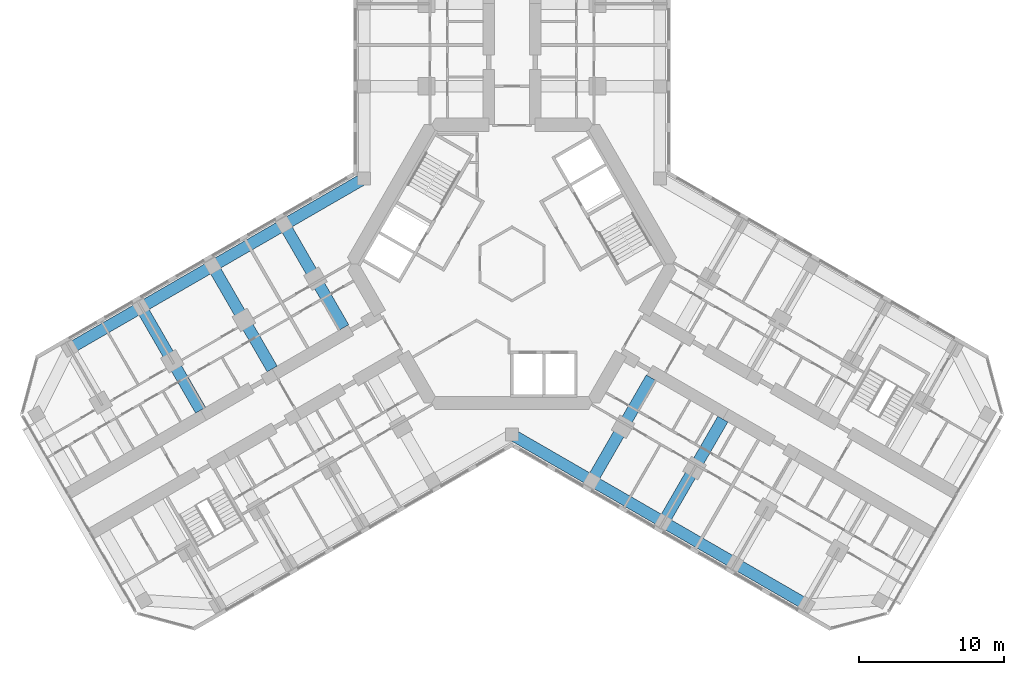
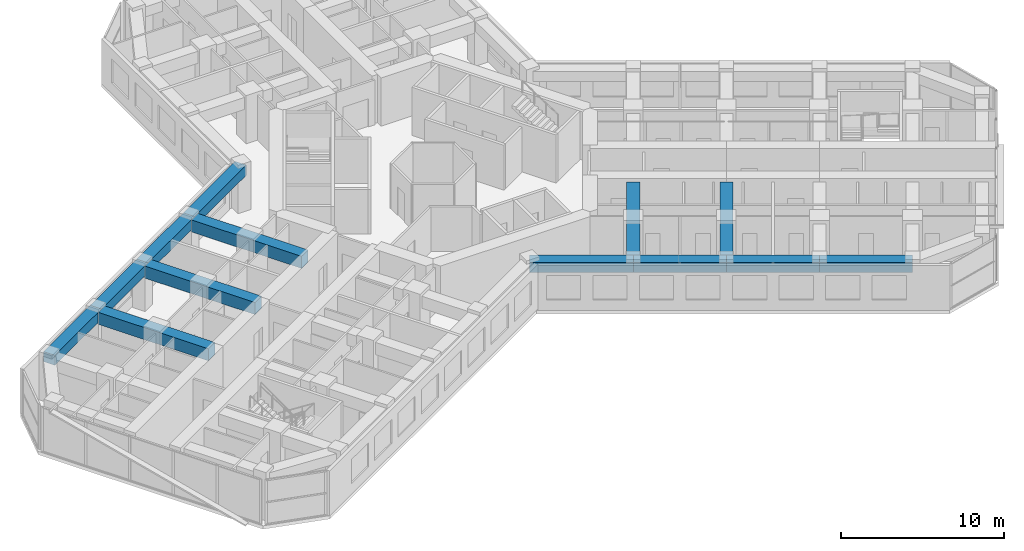
# One storey, part 4 of 19: 13 beams.
"""IFC4 building model written with IfcOpenShell, lengths in metres."""

import ifcopenshell
import ifcopenshell.guid

model = None  # the IFC model being written
_history = None  # IfcOwnerHistory: only IFC2X3 demands one
_inside = {}  # id of a spatial element -> (the spatial element, [elements in it])
_under = {}  # id of a project, library or spatial element -> (it, [spatial elements below it])
_declared = {}  # id of a project -> (the project, [libraries it declares])
_typed = {}  # id of a type object -> (the type object, [elements of that type])
_made_of = {}  # id of a material, layer set ... -> (it, [elements and type objects made of it])


def new_model(schema):
    """Start an empty IFC model of exactly this schema.

    Asked for "IFC4X3", IfcOpenShell would pick the latest addendum, in which some entities
    have other attributes; the version numbers below select the first issue.
    IFC2X3 requires an IfcOwnerHistory on every rooted entity: one is made here for all.
    """
    global model, _history
    if schema == "IFC4X3":
        model = ifcopenshell.file(schema_version=(4, 3, 0, 0))
    else:
        model = ifcopenshell.file(schema=schema)
    _inside.clear()
    _under.clear()
    _declared.clear()
    _typed.clear()
    _made_of.clear()
    _history = None
    if model.schema == "IFC2X3":
        org = make("IfcOrganization", Name="unknown")
        user = make(
            "IfcPersonAndOrganization",
            ThePerson=make("IfcPerson", FamilyName="unknown"),
            TheOrganization=org,
        )
        app = make(
            "IfcApplication",
            ApplicationDeveloper=org,
            Version="unknown",
            ApplicationFullName="unknown",
            ApplicationIdentifier="unknown",
        )
        _history = make(
            "IfcOwnerHistory",
            OwningUser=user,
            OwningApplication=app,
            ChangeAction="ADDED",
            CreationDate=0,
        )
    return model


def make(cls, **values):
    """One entity of the class cls with the attributes given. An attribute that is None is left unset."""
    return model.create_entity(
        cls, **{name: value for name, value in values.items() if value is not None}
    )


def rooted(cls, **values):
    """An entity with a GlobalId (a new one), such as an element, a storey or a relation."""
    return make(cls, GlobalId=ifcopenshell.guid.new(), OwnerHistory=_history, **values)


def si_unit(unit_type, name, prefix=None):
    """IfcSIUnit, for example si_unit("LENGTHUNIT", "METRE", prefix="MILLI")."""
    return make("IfcSIUnit", UnitType=unit_type, Prefix=prefix, Name=name)


def assignment(units):
    """IfcUnitAssignment: the units of a project."""
    return None if units is None else make("IfcUnitAssignment", Units=units)


def point(xyz):
    """IfcCartesianPoint."""
    return None if xyz is None else make("IfcCartesianPoint", Coordinates=xyz)


def direction(xyz):
    """IfcDirection."""
    return None if xyz is None else make("IfcDirection", DirectionRatios=xyz)


def frame(location, z_axis=None, x_axis=None):
    """IfcAxis2Placement3D, a coordinate frame: its origin and axes. An axis left out is left unset."""
    return make(
        "IfcAxis2Placement3D",
        Location=point(location),
        Axis=direction(z_axis),
        RefDirection=direction(x_axis),
    )


def frame_2d(location, x_axis=None):
    """IfcAxis2Placement2D, a coordinate frame in the plane: its origin and x axis."""
    return make(
        "IfcAxis2Placement2D", Location=point(location), RefDirection=direction(x_axis)
    )


def origin():
    """The frame at (0, 0, 0) with its axes left unset."""
    return frame((0.0, 0.0, 0.0))


def origin_2d():
    """The frame at (0, 0) in the plane with its x axis left unset."""
    return frame_2d((0.0, 0.0))


def place(relative_to, where):
    """IfcLocalPlacement: puts the frame where relative to a parent placement (None: the world)."""
    return make(
        "IfcLocalPlacement", PlacementRelTo=relative_to, RelativePlacement=where
    )


def context(
    kind, dimensions, precision=None, world=None, true_north=None, identifier=None
):
    """IfcGeometricRepresentationContext, for example the 3D "Model" context."""
    return make(
        "IfcGeometricRepresentationContext",
        ContextIdentifier=identifier,
        ContextType=kind,
        CoordinateSpaceDimension=dimensions,
        Precision=precision,
        WorldCoordinateSystem=world,
        TrueNorth=true_north,
    )


def subcontext(parent, identifier, kind, view, scale=None):
    """IfcGeometricRepresentationSubContext, for example "Body" below "Model"."""
    return make(
        "IfcGeometricRepresentationSubContext",
        ContextIdentifier=identifier,
        ContextType=kind,
        ParentContext=parent,
        TargetScale=scale,
        TargetView=view,
    )


def project(units=None, contexts=None):
    """IfcProject with its units and contexts."""
    return rooted(
        "IfcProject",
        Name="project",
        RepresentationContexts=contexts,
        UnitsInContext=assignment(units),
    )


def spatial(cls, under=None, at=None, **own):
    """A site, building, storey or space (cls), placed at a placement, below another one or the project."""
    s = rooted(cls, ObjectPlacement=at, **own)
    if under is not None:
        _under.setdefault(under.id(), (under, []))[1].append(s)
    return s


def profile(cls, at=None, kind="AREA", **sizes):
    """A parametric profile (cls). Its sizes go by their IFC names, for example OverallWidth=200.0."""
    return make(cls, ProfileType=kind, Position=at, **sizes)


def rectangle(**sizes):
    """IfcRectangleProfileDef."""
    return profile("IfcRectangleProfileDef", **sizes)


def extrude(swept, where, along, depth):
    """IfcExtrudedAreaSolid: the profile swept, set in the frame where, extruded along a direction by depth."""
    return make(
        "IfcExtrudedAreaSolid",
        SweptArea=swept,
        Position=where,
        ExtrudedDirection=direction(along),
        Depth=depth,
    )


def shape(context_of_items, identifier, shape_type, items):
    """IfcShapeRepresentation: the items that make up one representation, for example the "Body"."""
    return make(
        "IfcShapeRepresentation",
        ContextOfItems=context_of_items,
        RepresentationIdentifier=identifier,
        RepresentationType=shape_type,
        Items=items,
    )


def material(Name=None, Category=None):
    """IfcMaterial."""
    return make("IfcMaterial", Name=Name, Category=Category)


def material_profile(
    of_material, cross_section, Name=None, Category=None, Priority=None
):
    """IfcMaterialProfile: a cross section and its material."""
    return make(
        "IfcMaterialProfile",
        Name=Name,
        Material=of_material,
        Profile=cross_section,
        Priority=Priority,
        Category=Category,
    )


def profile_set(profiles, Name=None, composite=None):
    """IfcMaterialProfileSet."""
    return make(
        "IfcMaterialProfileSet",
        Name=Name,
        MaterialProfiles=profiles,
        CompositeProfile=composite,
    )


def made_of(thing, what):
    """Note that an element or type object is made of a material, layer set ...; save() writes the relation."""
    if what is not None:
        _made_of.setdefault(what.id(), (what, []))[1].append(thing)
    return thing


def type_object(cls, material=None, **own):
    """A type object (cls), such as IfcWallType, which elements share."""
    return made_of(rooted(cls, **own), material)


def element(
    cls,
    number,
    at=None,
    inside=None,
    cuts=None,
    type_object=None,
    material=None,
    context=None,
    identifier="Body",
    shape_type=None,
    held_by="IfcProductDefinitionShape",
    body=None,
    shapes=None,
    **own,
):
    """One element of the class cls, such as IfcWall. Its Tag is "e" and its number.

    at: its placement. inside: the storey or other place that contains it. cuts: it is an
    opening in that element (IfcRelVoidsElement). A single representation is given by context,
    identifier, shape_type and body (its items); several are given by shapes. held_by: the class
    of the entity that holds the representations. save() writes the other relations.
    """
    e = rooted(cls, Tag="e%d" % number, ObjectPlacement=at, **own)
    if body is not None:
        shapes = [shape(context, identifier, shape_type, body)]
    if shapes is not None:
        e.Representation = make(held_by, Representations=shapes)
    if inside is not None:
        _inside.setdefault(inside.id(), (inside, []))[1].append(e)
    if cuts is not None:
        rooted(
            "IfcRelVoidsElement", RelatingBuildingElement=cuts, RelatedOpeningElement=e
        )
    if type_object is not None:
        _typed.setdefault(type_object.id(), (type_object, []))[1].append(e)
    return made_of(e, material)


def aggregate(whole, parts):
    """IfcRelAggregates: a whole, such as a stair, and the parts it consists of."""
    return rooted("IfcRelAggregates", RelatingObject=whole, RelatedObjects=parts)


def save(model, path):
    """Write the relations noted so far, then the file.

    IfcRelAggregates (storeys below a building ...), IfcRelContainedInSpatialStructure (elements
    in a storey), IfcRelDefinesByType, IfcRelAssociatesMaterial and IfcRelDeclares: one each for
    every whole, place, type object, material and project.
    """
    for whole, parts in _under.values():
        aggregate(whole, parts)
    for where, things in _inside.values():
        rooted(
            "IfcRelContainedInSpatialStructure",
            RelatedElements=things,
            RelatingStructure=where,
        )
    for kind, things in _typed.values():
        rooted("IfcRelDefinesByType", RelatedObjects=things, RelatingType=kind)
    for what, things in _made_of.values():
        rooted("IfcRelAssociatesMaterial", RelatedObjects=things, RelatingMaterial=what)
    for by, libraries in _declared.values():
        rooted("IfcRelDeclares", RelatingContext=by, RelatedDefinitions=libraries)
    model.write(path)


model = new_model("IFC4")

# Units and contexts
model_context = context("Model", 3, precision=1e-05, world=origin(), true_north=direction((0.0, 1.0)))
body_context = subcontext(model_context, "Body", "Model", "MODEL_VIEW")
ifc_project = project(units=[si_unit("LENGTHUNIT", "METRE"), si_unit("AREAUNIT", "SQUARE_METRE"), si_unit("VOLUMEUNIT", "CUBIC_METRE"), si_unit("PLANEANGLEUNIT", "RADIAN"), si_unit("MASSUNIT", "GRAM", prefix="KILO")], contexts=[model_context])

# Site, building, storey
site_placement = place(None, origin())
site = spatial("IfcSite", under=ifc_project, at=site_placement, CompositionType="ELEMENT")
building_placement = place(site_placement, origin())
building = spatial("IfcBuilding", under=site, at=building_placement, Name="Kosmar Iwan School Tower", CompositionType="ELEMENT")
storey_placement = place(building_placement, frame((0.0, 0.0, 172.39990234375)))
storey = spatial("IfcBuildingStorey", under=building, at=storey_placement, Name="L43", CompositionType="ELEMENT", Elevation=172.39990234375)

# Beams
ifc_material_1 = material(Name="Concrete C50/60", Category="concrete")
ifc_material_profile_1 = material_profile(ifc_material_1, rectangle(XDim=0.800048828125, YDim=0.75, at=origin_2d()), Name="RC 800x750")
ifc_profile_set_1 = profile_set([ifc_material_profile_1], Name="Concrete C50/60")
beam_type_1 = type_object("IfcBeamType", Name="RC edge beam 800x750", PredefinedType="BEAM", material=ifc_profile_set_1)
beam_1_placement = place(storey_placement, frame((-10.199951171875, 5.888916015625, 2.97509765625), z_axis=(-0.866030912664, -0.49999045822, 0.0), x_axis=(0.49999045822, -0.866030912664, 0.0)))
element("IfcBeam", 1, at=beam_1_placement, inside=storey, type_object=beam_type_1, Name="Edge beam BR1", PredefinedType="BEAM", context=body_context, shape_type="SweptSolid", body=[
    extrude(rectangle(XDim=0.800048828125, YDim=0.75, at=origin_2d()), origin(), (0.0, 0.0, 1.0), 6.36083984375),
])
beam_2_placement = place(storey_placement, frame((-15.708740234375, 2.70849609375, 2.97509765625), z_axis=(-0.866025820012, -0.499999279071, 0.0), x_axis=(0.499999279071, -0.866025820012, 0.0)))
element("IfcBeam", 2, at=beam_2_placement, inside=storey, type_object=beam_type_1, Name="Edge beam BR2", PredefinedType="BEAM", context=body_context, shape_type="SweptSolid", body=[
    extrude(rectangle(XDim=0.800048828125, YDim=0.75, at=origin_2d()), origin(), (0.0, 0.0, 1.0), 5.7001953125),
])
for number, where, z_axis, x_axis, name in (
    (3, (-20.645263671875, -0.1416015625, 2.97509765625), (-0.866033658841, -0.49998570155, 0.0), (0.49998570155, -0.866033658841, 0.0), "Edge beam BR3"),
    (4, (-25.58154296875, -2.991455078125, 2.97509765625), (-0.866015111908, -0.50001782563, 0.0), (0.50001782563, -0.866015111908, 0.0), "Edge beam BR4"),
):
    element("IfcBeam", number, at=place(storey_placement, frame(where, z_axis=z_axis, x_axis=x_axis)), inside=storey, type_object=beam_type_1, Name=name, PredefinedType="BEAM", context=body_context, shape_type="SweptSolid", body=[
        extrude(rectangle(XDim=0.800048828125, YDim=0.75, at=origin_2d()), origin(), (0.0, 0.0, 1.0), 5.699951171875),
    ])
beam_3_placement = place(storey_placement, frame((0.0, -11.77783203125, 2.97509765625), z_axis=(0.866014293216, -0.500019243575, 0.0), x_axis=(0.500019243575, 0.866014293216, 0.0)))
element("IfcBeam", 5, at=beam_3_placement, inside=storey, type_object=beam_type_1, Name="Edge beam CR1", PredefinedType="BEAM", context=body_context, shape_type="SweptSolid", body=[
    extrude(rectangle(XDim=0.800048828125, YDim=0.75, at=origin_2d()), origin(), (0.0, 0.0, 1.0), 6.361083984375),
])
beam_4_placement = place(storey_placement, frame((5.5087890625, -14.95849609375, 2.97509765625), z_axis=(0.866033658841, -0.49998570155, 0.0), x_axis=(0.49998570155, 0.866033658841, 0.0)))
element("IfcBeam", 6, at=beam_4_placement, inside=storey, type_object=beam_type_1, Name="Edge beam CR2", PredefinedType="BEAM", context=body_context, shape_type="SweptSolid", body=[
    extrude(rectangle(XDim=0.800048828125, YDim=0.75, at=origin_2d()), origin(), (0.0, 0.0, 1.0), 5.699951171875),
])
beam_5_placement = place(storey_placement, frame((10.445068359375, -17.808349609375, 2.97509765625), z_axis=(0.866025820012, -0.499999279071, 0.0), x_axis=(0.499999279071, 0.866025820012, 0.0)))
element("IfcBeam", 7, at=beam_5_placement, inside=storey, type_object=beam_type_1, Name="Edge beam CR3", PredefinedType="BEAM", context=body_context, shape_type="SweptSolid", body=[
    extrude(rectangle(XDim=0.800048828125, YDim=0.75, at=origin_2d()), origin(), (0.0, 0.0, 1.0), 5.7001953125),
])
beam_6_placement = place(storey_placement, frame((15.381591796875, -20.658447265625, 2.97509765625), z_axis=(0.866015111908, -0.50001782563, 0.0), x_axis=(0.50001782563, 0.866015111908, 0.0)))
element("IfcBeam", 8, at=beam_6_placement, inside=storey, type_object=beam_type_1, Name="Edge beam CR4", PredefinedType="BEAM", context=body_context, shape_type="SweptSolid", body=[
    extrude(rectangle(XDim=0.800048828125, YDim=0.75, at=origin_2d()), origin(), (0.0, 0.0, 1.0), 5.699951171875),
])
ifc_material_2 = material(Name="Concrete C50/60", Category="concrete")
ifc_material_profile_2 = material_profile(ifc_material_2, rectangle(XDim=0.800048828125, YDim=0.89990234375, at=origin_2d()), Name="RC 800x900")
ifc_profile_set_2 = profile_set([ifc_material_profile_2], Name="Concrete C50/60")
beam_type_2 = type_object("IfcBeamType", Name="RC transverse beam 800x900", PredefinedType="BEAM", material=ifc_profile_set_2)
for number, where, z_axis, x_axis, name in (
    (9, (-15.708740234375, 2.70849609375, 2.900146484375), (0.499978459874, -0.866037839625, 0.0), (0.866037839625, 0.499978459874, 0.0), "Transverse beam BR1"),
    (10, (-20.645263671875, -0.1416015625, 2.900146484375), (0.500013681986, -0.866017504342, 0.0), (0.866017504342, 0.500013681986, 0.0), "Transverse beam BR2"),
):
    element("IfcBeam", number, at=place(storey_placement, frame(where, z_axis=z_axis, x_axis=x_axis)), inside=storey, type_object=beam_type_2, Name=name, PredefinedType="BEAM", context=body_context, shape_type="SweptSolid", body=[
        extrude(rectangle(XDim=0.800048828125, YDim=0.89990234375, at=origin_2d()), origin(), (0.0, 0.0, 1.0), 8.199951171875),
    ])
for number, where, z_axis, x_axis, name in (
    (11, (-25.58154296875, -2.991455078125, 2.900146484375), (0.500000789788, -0.8660249478, 0.0), (0.8660249478, 0.500000789788, 0.0), "Transverse beam BR3"),
    (12, (5.5087890625, -14.95849609375, 2.900146484375), (0.500000789788, 0.8660249478, 0.0), (-0.8660249478, 0.500000789788, 0.0), "Transverse beam CR1"),
):
    element("IfcBeam", number, at=place(storey_placement, frame(where, z_axis=z_axis, x_axis=x_axis)), inside=storey, type_object=beam_type_2, Name=name, PredefinedType="BEAM", context=body_context, shape_type="SweptSolid", body=[
        extrude(rectangle(XDim=0.800048828125, YDim=0.89990234375, at=origin_2d()), origin(), (0.0, 0.0, 1.0), 8.2001953125),
    ])
beam_7_placement = place(storey_placement, frame((10.445068359375, -17.808349609375, 2.900146484375), z_axis=(0.500013681986, 0.866017504342, 0.0), x_axis=(-0.866017504342, 0.500013681986, 0.0)))
element("IfcBeam", 13, at=beam_7_placement, inside=storey, type_object=beam_type_2, Name="Transverse beam CR2", PredefinedType="BEAM", context=body_context, shape_type="SweptSolid", body=[
    extrude(rectangle(XDim=0.800048828125, YDim=0.89990234375, at=origin_2d()), origin(), (0.0, 0.0, 1.0), 8.199951171875),
])

save(model, "model.ifc")
